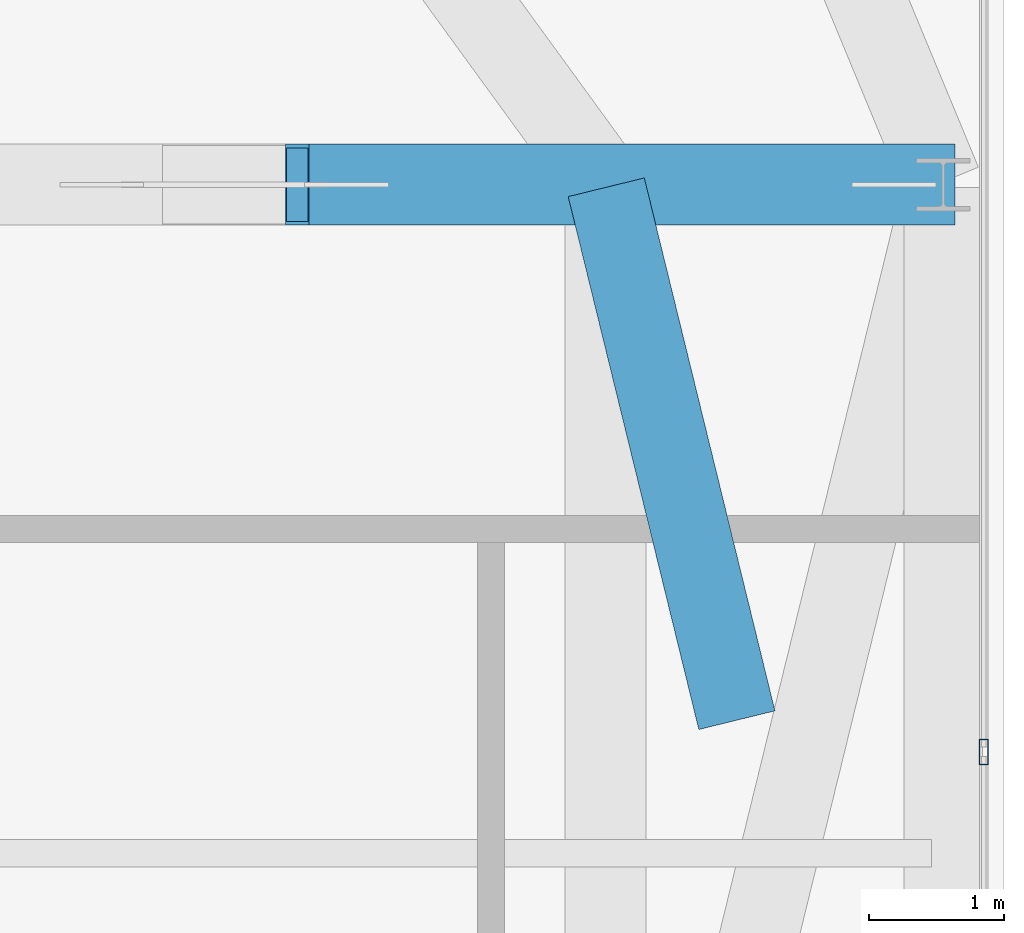
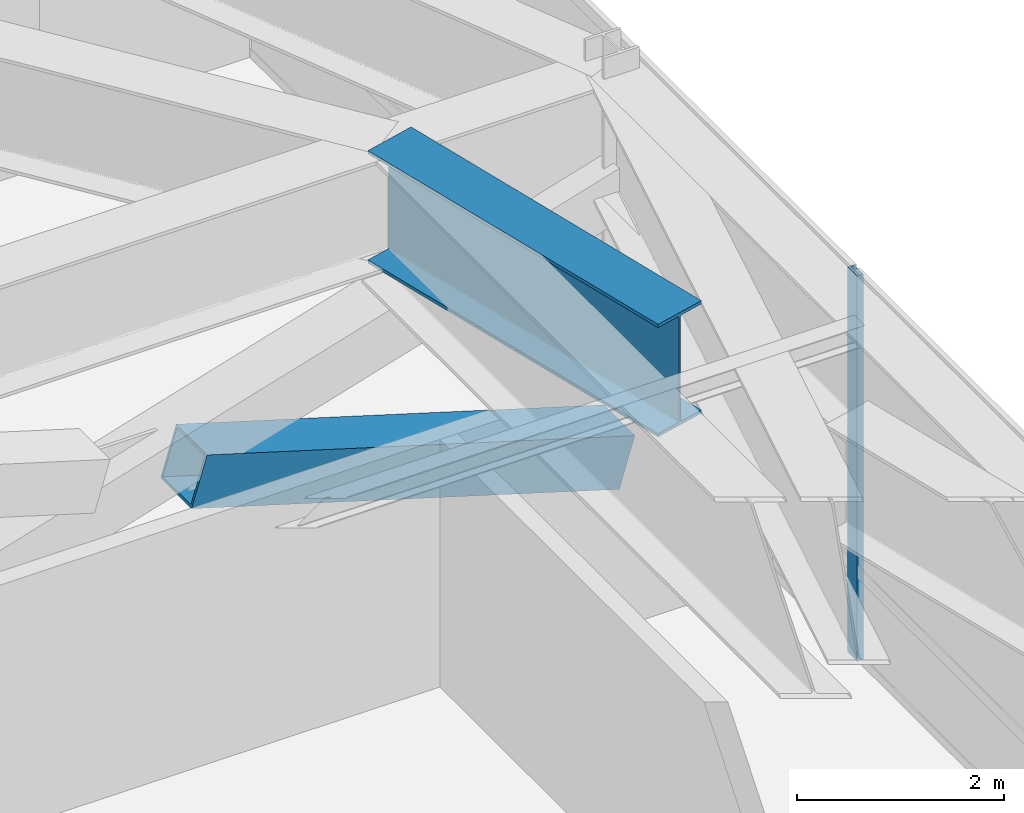
# One storey, part 20 of 32: 2 members, 1 beam, 1 element without a shape of its own.
"""IFC4 building model written with IfcOpenShell, lengths in metres."""

from ifc_helpers import new_model, si_unit, direction, frame, origin, origin_2d, place, context, subcontext, project, spatial, hollow_rectangle, i_section, extrude, source, transform, mapped, material, layer, layer_set, material_profile, profile_set, type_object, type_shapes, element, aggregate, save


model = new_model("IFC4")

# Units and contexts
model_context = context("Model", 3, precision=1e-05, world=origin(), true_north=direction((0.0, 1.0)))
body_context = subcontext(model_context, "Body", "Model", "MODEL_VIEW")
ifc_project = project(units=[si_unit("LENGTHUNIT", "METRE"), si_unit("AREAUNIT", "SQUARE_METRE"), si_unit("VOLUMEUNIT", "CUBIC_METRE"), si_unit("PLANEANGLEUNIT", "RADIAN"), si_unit("MASSUNIT", "GRAM", prefix="KILO")], contexts=[model_context])

# Site, building, storey
site_placement = place(None, origin())
site = spatial("IfcSite", under=ifc_project, at=site_placement, CompositionType="ELEMENT")
building_placement = place(site_placement, origin())
building = spatial("IfcBuilding", under=site, at=building_placement, Name="Varnel Quay Broadcast Tower", CompositionType="ELEMENT")
storey_placement = place(building_placement, frame((0.0, 0.0, 141.0)))
storey = spatial("IfcBuildingStorey", under=building, at=storey_placement, Name="L34", CompositionType="ELEMENT", Elevation=141.0)

# Beam
ifc_material_1 = material(Name="Structural Steel CSA G40.21 350WT", Category="steel")
ifc_material_profile_1 = material_profile(ifc_material_1, i_section(OverallWidth=0.580078125, OverallDepth=1.330078125, WebThickness=0.02197265625, FlangeThickness=0.0380859375, FilletRadius=0.02001953125, at=origin_2d()), Name="WWF1330X535")
ifc_profile_set_1 = profile_set([ifc_material_profile_1], Name="Structural Steel CSA G40.21 350WT")
beam_type = type_object("IfcBeamType", Name="Girder_WWF1330X535", PredefinedType="BEAM", material=ifc_profile_set_1)
shared_shape_1 = source(origin(), body_context, "Body", "SweptSolid", [
    extrude(i_section(OverallWidth=0.580078125, OverallDepth=1.330078125, WebThickness=0.02197265625, FlangeThickness=0.0380859375, FilletRadius=0.02001953125, at=origin_2d()), origin(), (0.0, 0.0, 1.0), 4.06298828125),
])
type_shapes(beam_type, [shared_shape_1])
beam_placement = place(storey_placement, frame((61.52197265625, 31.63427734375, 3.885009765625), z_axis=(-0.238065394909, 0.97124912754, 0.0), x_axis=(-0.97124912754, -0.238065394909, 0.0)))
element("IfcBeam", 1, at=beam_placement, inside=storey, type_object=beam_type, Name="L34 X-Braced Transfer Tie TC-E3-TC-E2 Part 2", PredefinedType="BEAM", context=body_context, shape_type="MappedRepresentation", body=[
    mapped(shared_shape_1, transform((0.0, 0.0, 0.0), x_axis=(1.0, 0.0, 0.0), y_axis=(0.0, 1.0, 0.0), z_axis=(0.0, 0.0, 1.0), scale=1.0)),
])

# Member
ifc_material_profile_2 = material_profile(ifc_material_1, hollow_rectangle(XDim=0.60009765625, YDim=0.60009765625, WallThickness=0.028076171875, at=origin_2d()), Name="BOX600X600X28")
ifc_profile_set_2 = profile_set([ifc_material_profile_2], Name="Structural Steel CSA G40.21 350WT")
member_type_1 = type_object("IfcMemberType", Name="Outrigger_BOX600X600X28", PredefinedType="BRACE", material=ifc_profile_set_2)
shared_shape_2 = source(origin(), body_context, "Body", "SweptSolid", [
    extrude(hollow_rectangle(XDim=0.60009765625, YDim=0.60009765625, WallThickness=0.028076171875, at=origin_2d()), origin(), (0.0, 0.0, 1.0), 4.99658203125),
])
type_shapes(member_type_1, [shared_shape_2])
member_1_placement = place(storey_placement, frame((63.050048828125, 35.60009765625, 0.02001953125), z_axis=(-0.95720544647, 0.0, 0.289409283279), x_axis=(0.0, -1.0, 0.0)))
element("IfcMember", 2, at=member_1_placement, inside=storey, type_object=member_type_1, Name="L34 Outrigger E Split Diag B1", PredefinedType="BRACE", context=body_context, shape_type="MappedRepresentation", body=[
    mapped(shared_shape_2, transform((0.0, 0.0, 0.0), x_axis=(1.0, 0.0, 0.0), y_axis=(0.0, 1.0, 0.0), z_axis=(0.0, 0.0, 1.0), scale=1.0)),
])

# Curtain wall, member
ifc_material_2 = material(Name="Anodised Bronze Aluminium 6063-T6", Category="aluminium")
ifc_layer = layer(ifc_material_2, 0.18994140625, Name="Anodised Bronze Aluminium 6063-T6")
ifc_layer_set = layer_set([ifc_layer], Name="Anodised Bronze Aluminium 6063-T6")
curtain_wall_type = type_object("IfcCurtainWallType", Name="CW_LowerTower", PredefinedType="NOTDEFINED", material=ifc_layer_set)
curtain_wall_placement = place(storey_placement, origin())
curtain_wall = element("IfcCurtainWall", 3, at=curtain_wall_placement, inside=storey, type_object=curtain_wall_type, Name="L34 East Unitised Curtain Wall", PredefinedType="NOTDEFINED")
ifc_material_profile_3 = material_profile(ifc_material_2, hollow_rectangle(XDim=0.070068359375, YDim=0.18994140625, WallThickness=0.00390625, at=origin_2d()), Name="ALU70X190X4")
ifc_profile_set_3 = profile_set([ifc_material_profile_3], Name="Anodised Bronze Aluminium 6063-T6")
member_type_2 = type_object("IfcMemberType", Name="Mull_CWS-02", PredefinedType="MULLION", material=ifc_profile_set_3)
shared_shape_3 = source(origin(), body_context, "Body", "SweptSolid", [
    extrude(hollow_rectangle(XDim=0.070068359375, YDim=0.18994140625, WallThickness=0.00390625, at=origin_2d()), origin(), (0.0, 0.0, 1.0), 4.550048828125),
])
type_shapes(member_type_2, [shared_shape_3])
member_2_placement = place(storey_placement, frame((63.35009765625, 31.39990234375, 0.0), z_axis=(0.0, 0.0, 1.0), x_axis=(-1.0, 0.0, 0.0)))
member_2 = element("IfcMember", 4, at=member_2_placement, type_object=member_type_2, Name="CWS-02 mullion 3", PredefinedType="MULLION", context=body_context, shape_type="MappedRepresentation", body=[
    mapped(shared_shape_3, transform((0.0, 0.0, 0.0), x_axis=(1.0, 0.0, 0.0), y_axis=(0.0, 1.0, 0.0), z_axis=(0.0, 0.0, 1.0), scale=1.0)),
])
aggregate(curtain_wall, [member_2])

save(model, "model.ifc")
